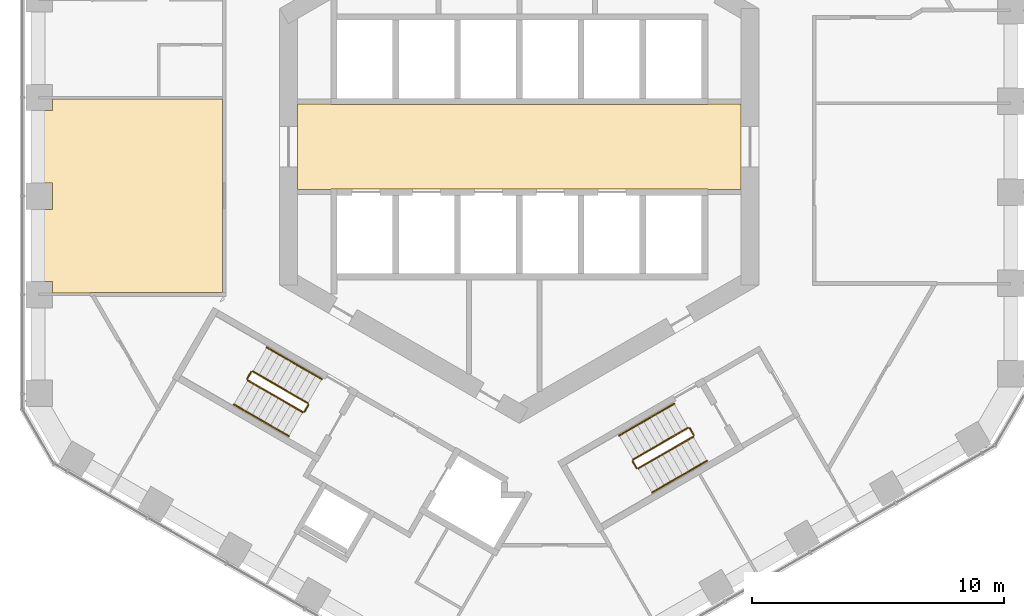
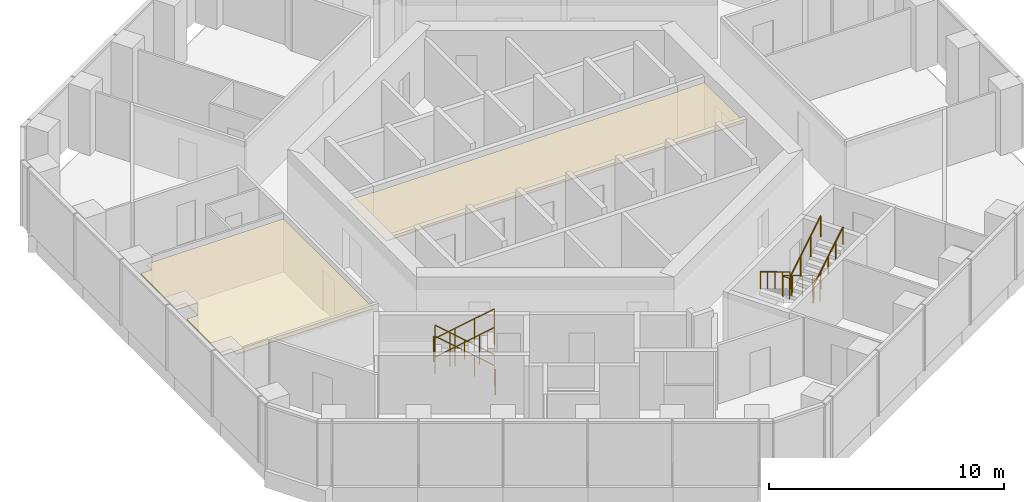
# One storey, part 18 of 19: 16 railings, 2 coverings.
"""IFC4 building model written with IfcOpenShell, lengths in metres."""

from ifc_helpers import new_model, si_unit, direction, frame, origin, origin_2d, place, context, subcontext, project, spatial, polyline, circle, outline, extrude, material, layer, layer_set, type_object, element, save


model = new_model("IFC4")

# Units and contexts
model_context = context("Model", 3, precision=1e-05, world=origin(), true_north=direction((0.0, 1.0)))
body_context = subcontext(model_context, "Body", "Model", "MODEL_VIEW")
ifc_project = project(units=[si_unit("LENGTHUNIT", "METRE"), si_unit("AREAUNIT", "SQUARE_METRE"), si_unit("VOLUMEUNIT", "CUBIC_METRE"), si_unit("PLANEANGLEUNIT", "RADIAN"), si_unit("MASSUNIT", "GRAM", prefix="KILO")], contexts=[model_context])

# Site, building, storey
site_placement = place(None, origin())
site = spatial("IfcSite", under=ifc_project, at=site_placement, CompositionType="ELEMENT")
building_placement = place(site_placement, origin())
building = spatial("IfcBuilding", under=site, at=building_placement, Name="Ayvan Gate Tower", CompositionType="ELEMENT")
storey_placement = place(building_placement, frame((0.0, 0.0, 106.89990234375)))
storey = spatial("IfcBuildingStorey", under=building, at=storey_placement, Name="L28", CompositionType="ELEMENT", Elevation=106.89990234375)

# Coverings
ifc_material_1 = material(Name="Plasterboard suspended ceiling")
ifc_layer = layer(ifc_material_1, 0.050048828125)
ifc_layer_set = layer_set([ifc_layer], Name="Plasterboard suspended ceiling")
covering_type = type_object("IfcCoveringType", Name="CT-SUSP-50", PredefinedType="CEILING", material=ifc_layer_set)
covering_1_placement = place(storey_placement, frame((0.0, 0.0, 2.7001953125)))
element("IfcCovering", 1, at=covering_1_placement, inside=storey, type_object=covering_type, Name="Ceiling Lift Lobby L28", PredefinedType="CEILING", context=body_context, shape_type="SweptSolid", body=[
    extrude(outline(polyline([(7.47509765625, -1.675048828125), (-7.47509765625, -1.675048828125), (-7.47509765625, -1.699951171875), (-8.800048828125, -1.699951171875), (-8.800048828125, 1.699951171875), (-7.47509765625, 1.699951171875), (-7.47509765625, 1.675048828125), (7.47509765625, 1.675048828125), (7.47509765625, 1.699951171875), (8.800048828125, 1.699951171875), (8.800048828125, -1.699951171875), (7.47509765625, -1.699951171875), (7.47509765625, -1.675048828125)])), origin(), (0.0, 0.0, 1.0), 0.0498046875),
])
covering_2_placement = place(storey_placement, frame((0.0, 0.0, 2.7001953125)))
element("IfcCovering", 2, at=covering_2_placement, inside=storey, type_object=covering_type, Name="Ceiling Study Lounge L28", PredefinedType="CEILING", context=body_context, shape_type="SweptSolid", body=[
    extrude(outline(polyline([(-18.515380859375, -2.47998046875), (-18.515380859375, -1.429931640625), (-19.070068359375, -1.429931640625), (-19.070068359375, 1.429931640625), (-18.515380859375, 1.429931640625), (-18.515380859375, 1.901611328125), (-11.77490234375, 1.901611328125), (-11.77490234375, -5.77978515625), (-17.012939453125, -5.77978515625), (-17.012939453125, -5.8046875), (-18.515380859375, -5.8046875), (-18.515380859375, -5.340087890625), (-19.070068359375, -5.340087890625), (-19.070068359375, -2.47998046875), (-18.515380859375, -2.47998046875)])), origin(), (0.0, 0.0, 1.0), 0.0498046875),
])

# Railings
ifc_material_2 = material(Name="Stainless steel balustrade", Category="steel")
railing_type_1 = type_object("IfcRailingType", Name="RL-GUARD-1100", PredefinedType="GUARDRAIL", material=ifc_material_2)
railing_1_placement = place(storey_placement, frame((-8.381103515625, -10.16650390625, 0.170166015625)))
element("IfcRailing", 3, at=railing_1_placement, inside=storey, type_object=railing_type_1, Name="L28 STS2 stair guard 1", PredefinedType="GUARDRAIL", context=body_context, shape_type="SweptSolid", body=[
    extrude(circle(Radius=0.02392578125, at=origin_2d()), frame((0.0, 0.0, 1.076171875), z_axis=(-0.740261155115, 0.427395438142, 0.518986090067), x_axis=(-0.500004791531, -0.866022637375, 0.0)), (0.0, 0.0, 1.0), 2.947998046875),
    extrude(circle(Radius=0.02099609375, at=origin_2d()), origin(), (0.0, 0.0, 1.0), 1.052001953125),
    extrude(circle(Radius=0.02099609375, at=origin_2d()), frame((-0.7275390625, 0.419921875, 0.510009765625)), (0.0, 0.0, 1.0), 1.052001953125),
    extrude(circle(Radius=0.02099609375, at=origin_2d()), frame((-1.454833984375, 0.840087890625, 1.02001953125)), (0.0, 0.0, 1.0), 1.052001953125),
    extrude(circle(Radius=0.02099609375, at=origin_2d()), frame((-2.182373046875, 1.260009765625, 1.530029296875)), (0.0, 0.0, 1.0), 1.052001953125),
])
railing_2_placement = place(storey_placement, frame((-10.6318359375, -8.9248046875, 1.7001953125)))
element("IfcRailing", 4, at=railing_2_placement, inside=storey, type_object=railing_type_1, Name="L28 STS2 stair guard 2", PredefinedType="GUARDRAIL", context=body_context, shape_type="SweptSolid", body=[
    extrude(circle(Radius=0.02392578125, at=origin_2d()), frame((0.0, 0.0, 1.076171875), z_axis=(-0.499949632511, -0.866054481515, 0.0), x_axis=(0.866054481515, -0.499949632511, 0.0)), (0.0, 0.0, 1.0), 0.31005859375),
    extrude(circle(Radius=0.02099609375, at=origin_2d()), origin(), (0.0, 0.0, 1.0), 1.052001953125),
    extrude(circle(Radius=0.02099609375, at=origin_2d()), frame((-0.155029296875, -0.2685546875, 0.0)), (0.0, 0.0, 1.0), 1.052001953125),
])
railing_3_placement = place(storey_placement, frame((-10.7685546875, -9.261474609375, 1.8701171875)))
element("IfcRailing", 5, at=railing_3_placement, inside=storey, type_object=railing_type_1, Name="L28 STS2 stair guard 3", PredefinedType="GUARDRAIL", context=body_context, shape_type="SweptSolid", body=[
    extrude(circle(Radius=0.02392578125, at=origin_2d()), frame((0.0, 0.0, 1.076171875), z_axis=(0.740261155115, -0.427395438142, 0.518986090067), x_axis=(0.500004791531, 0.866022637375, 0.0)), (0.0, 0.0, 1.0), 2.947998046875),
    extrude(circle(Radius=0.02099609375, at=origin_2d()), origin(), (0.0, 0.0, 1.0), 1.052001953125),
    extrude(circle(Radius=0.02099609375, at=origin_2d()), frame((0.7275390625, -0.419921875, 0.510009765625)), (0.0, 0.0, 1.0), 1.052001953125),
    extrude(circle(Radius=0.02099609375, at=origin_2d()), frame((1.454833984375, -0.840087890625, 1.02001953125)), (0.0, 0.0, 1.0), 1.052001953125),
    extrude(circle(Radius=0.02099609375, at=origin_2d()), frame((2.182373046875, -1.260009765625, 1.530029296875)), (0.0, 0.0, 1.0), 1.052001953125),
])
railing_4_placement = place(storey_placement, frame((-8.36279296875, -10.23486328125, 0.0)))
element("IfcRailing", 6, at=railing_4_placement, inside=storey, type_object=railing_type_1, Name="L28 STS2 stair guard 4", PredefinedType="GUARDRAIL", context=body_context, shape_type="SweptSolid", body=[
    extrude(circle(Radius=0.02392578125, at=origin_2d()), frame((0.0, 0.0, 1.076171875), z_axis=(-0.500290723946, -0.86585748916, 0.0), x_axis=(0.86585748916, -0.500290723946, 0.0)), (0.0, 0.0, 1.0), 0.309814453125),
    extrude(circle(Radius=0.02099609375, at=origin_2d()), origin(), (0.0, 0.0, 1.0), 1.052001953125),
    extrude(circle(Radius=0.02099609375, at=origin_2d()), frame((-0.155029296875, -0.268310546875, 0.0)), (0.0, 0.0, 1.0), 1.052001953125),
])
railing_5_placement = place(storey_placement, frame((6.6923828125, -11.1416015625, 0.170166015625)))
element("IfcRailing", 7, at=railing_5_placement, inside=storey, type_object=railing_type_1, Name="L28 STS3 stair guard 1", PredefinedType="GUARDRAIL", context=body_context, shape_type="SweptSolid", body=[
    extrude(circle(Radius=0.02392578125, at=origin_2d()), frame((0.0, 0.0, 1.076171875), z_axis=(-0.740261155115, -0.427395438142, 0.518986090067), x_axis=(0.500004791531, -0.866022637375, 0.0)), (0.0, 0.0, 1.0), 2.947998046875),
    extrude(circle(Radius=0.02099609375, at=origin_2d()), origin(), (0.0, 0.0, 1.0), 1.052001953125),
    extrude(circle(Radius=0.02099609375, at=origin_2d()), frame((-0.7275390625, -0.419921875, 0.510009765625)), (0.0, 0.0, 1.0), 1.052001953125),
    extrude(circle(Radius=0.02099609375, at=origin_2d()), frame((-1.454833984375, -0.840087890625, 1.02001953125)), (0.0, 0.0, 1.0), 1.052001953125),
    extrude(circle(Radius=0.02099609375, at=origin_2d()), frame((-2.182373046875, -1.260009765625, 1.530029296875)), (0.0, 0.0, 1.0), 1.052001953125),
])
railing_6_placement = place(storey_placement, frame((4.49169921875, -12.4697265625, 1.7001953125)))
element("IfcRailing", 8, at=railing_6_placement, inside=storey, type_object=railing_type_1, Name="L28 STS3 stair guard 2", PredefinedType="GUARDRAIL", context=body_context, shape_type="SweptSolid", body=[
    extrude(circle(Radius=0.02392578125, at=origin_2d()), frame((0.0, 0.0, 1.076171875), z_axis=(0.499949632511, -0.866054481515, 0.0), x_axis=(0.866054481515, 0.499949632511, 0.0)), (0.0, 0.0, 1.0), 0.31005859375),
    extrude(circle(Radius=0.02099609375, at=origin_2d()), origin(), (0.0, 0.0, 1.0), 1.052001953125),
    extrude(circle(Radius=0.02099609375, at=origin_2d()), frame((0.155029296875, -0.2685546875, 0.0)), (0.0, 0.0, 1.0), 1.052001953125),
])
railing_7_placement = place(storey_placement, frame((4.715087890625, -12.756591796875, 1.8701171875)))
element("IfcRailing", 9, at=railing_7_placement, inside=storey, type_object=railing_type_1, Name="L28 STS3 stair guard 3", PredefinedType="GUARDRAIL", context=body_context, shape_type="SweptSolid", body=[
    extrude(circle(Radius=0.02392578125, at=origin_2d()), frame((0.0, 0.0, 1.076171875), z_axis=(0.740261155115, 0.427395438142, 0.518986090067), x_axis=(-0.500004791531, 0.866022637375, 0.0)), (0.0, 0.0, 1.0), 2.947998046875),
    extrude(circle(Radius=0.02099609375, at=origin_2d()), origin(), (0.0, 0.0, 1.0), 1.052001953125),
    extrude(circle(Radius=0.02099609375, at=origin_2d()), frame((0.7275390625, 0.419921875, 0.510009765625)), (0.0, 0.0, 1.0), 1.052001953125),
    extrude(circle(Radius=0.02099609375, at=origin_2d()), frame((1.454833984375, 0.840087890625, 1.02001953125)), (0.0, 0.0, 1.0), 1.052001953125),
    extrude(circle(Radius=0.02099609375, at=origin_2d()), frame((2.182373046875, 1.260009765625, 1.530029296875)), (0.0, 0.0, 1.0), 1.052001953125),
])
railing_8_placement = place(storey_placement, frame((6.7607421875, -11.159912109375, 0.0)))
element("IfcRailing", 10, at=railing_8_placement, inside=storey, type_object=railing_type_1, Name="L28 STS3 stair guard 4", PredefinedType="GUARDRAIL", context=body_context, shape_type="SweptSolid", body=[
    extrude(circle(Radius=0.02392578125, at=origin_2d()), frame((0.0, 0.0, 1.076171875), z_axis=(0.500290723946, -0.86585748916, 0.0), x_axis=(0.86585748916, 0.500290723946, 0.0)), (0.0, 0.0, 1.0), 0.309814453125),
    extrude(circle(Radius=0.02099609375, at=origin_2d()), origin(), (0.0, 0.0, 1.0), 1.052001953125),
    extrude(circle(Radius=0.02099609375, at=origin_2d()), frame((0.155029296875, -0.268310546875, 0.0)), (0.0, 0.0, 1.0), 1.052001953125),
])
railing_type_2 = type_object("IfcRailingType", Name="RL-HANDRAIL-900", PredefinedType="HANDRAIL", material=ifc_material_2)
railing_9_placement = place(storey_placement, frame((-7.8310546875, -9.2138671875, 0.170166015625)))
element("IfcRailing", 11, at=railing_9_placement, inside=storey, type_object=railing_type_2, Name="L28 STS2 stair handrail 1", PredefinedType="HANDRAIL", context=body_context, shape_type="SweptSolid", body=[
    extrude(circle(Radius=0.02392578125, at=origin_2d()), frame((0.0, 0.0, 0.8759765625), z_axis=(-0.740356597536, 0.427319915356, 0.518912129772), x_axis=(-0.499890179513, -0.866088799389, 0.0)), (0.0, 0.0, 1.0), 1.47412109375),
    extrude(circle(Radius=0.02099609375, at=origin_2d()), origin(), (0.0, 0.0, 1.0), 0.851806640625),
    extrude(circle(Radius=0.02099609375, at=origin_2d()), frame((-0.545654296875, 0.31494140625, 0.38232421875)), (0.0, 0.0, 1.0), 0.851806640625),
    extrude(circle(Radius=0.02099609375, at=origin_2d()), frame((-1.09130859375, 0.6298828125, 0.764892578125)), (0.0, 0.0, 1.0), 0.851806640625),
])
railing_10_placement = place(storey_placement, frame((-8.92236328125, -8.583984375, 0.93505859375)))
element("IfcRailing", 12, at=railing_10_placement, inside=storey, type_object=railing_type_2, Name="L28 STS2 stair handrail 2", PredefinedType="HANDRAIL", context=body_context, shape_type="SweptSolid", body=[
    extrude(circle(Radius=0.02392578125, at=origin_2d()), frame((0.0, 0.0, 0.8759765625), z_axis=(-0.740165700939, 0.427470949681, 0.519060037311), x_axis=(-0.50011940292, -0.865956455501, 0.0)), (0.0, 0.0, 1.0), 1.47412109375),
    extrude(circle(Radius=0.02099609375, at=origin_2d()), origin(), (0.0, 0.0, 1.0), 0.851806640625),
    extrude(circle(Radius=0.02099609375, at=origin_2d()), frame((-0.54541015625, 0.31494140625, 0.382568359375)), (0.0, 0.0, 1.0), 0.851806640625),
    extrude(circle(Radius=0.02099609375, at=origin_2d()), frame((-1.091064453125, 0.630126953125, 0.76513671875)), (0.0, 0.0, 1.0), 0.851806640625),
])
railing_11_placement = place(storey_placement, frame((-11.318603515625, -10.214111328125, 1.8701171875)))
element("IfcRailing", 13, at=railing_11_placement, inside=storey, type_object=railing_type_2, Name="L28 STS2 stair handrail 3", PredefinedType="HANDRAIL", context=body_context, shape_type="SweptSolid", body=[
    extrude(circle(Radius=0.02392578125, at=origin_2d()), frame((0.0, 0.0, 0.8759765625), z_axis=(0.740304193401, -0.427455284825, 0.518875399983), x_axis=(0.500035496587, 0.86600490885, 0.0)), (0.0, 0.0, 1.0), 1.47412109375),
    extrude(circle(Radius=0.02099609375, at=origin_2d()), origin(), (0.0, 0.0, 1.0), 0.851806640625),
    extrude(circle(Radius=0.02099609375, at=origin_2d()), frame((0.545654296875, -0.31494140625, 0.38232421875)), (0.0, 0.0, 1.0), 0.851806640625),
    extrude(circle(Radius=0.02099609375, at=origin_2d()), frame((1.09130859375, -0.630126953125, 0.764892578125)), (0.0, 0.0, 1.0), 0.851806640625),
])
railing_12_placement = place(storey_placement, frame((-10.227294921875, -10.84423828125, 2.635009765625)))
element("IfcRailing", 14, at=railing_12_placement, inside=storey, type_object=railing_type_2, Name="L28 STS2 stair handrail 4", PredefinedType="HANDRAIL", context=body_context, shape_type="SweptSolid", body=[
    extrude(circle(Radius=0.02392578125, at=origin_2d()), frame((0.0, 0.0, 0.8759765625), z_axis=(0.740292964666, -0.42728318766, 0.519033143459), x_axis=(0.499890179513, 0.866088799389, 0.0)), (0.0, 0.0, 1.0), 1.47412109375),
    extrude(circle(Radius=0.02099609375, at=origin_2d()), origin(), (0.0, 0.0, 1.0), 0.851806640625),
    extrude(circle(Radius=0.02099609375, at=origin_2d()), frame((0.545654296875, -0.31494140625, 0.382568359375)), (0.0, 0.0, 1.0), 0.851806640625),
    extrude(circle(Radius=0.02099609375, at=origin_2d()), frame((1.09130859375, -0.6298828125, 0.76513671875)), (0.0, 0.0, 1.0), 0.851806640625),
])
railing_13_placement = place(storey_placement, frame((6.142333984375, -10.18896484375, 0.170166015625)))
element("IfcRailing", 15, at=railing_13_placement, inside=storey, type_object=railing_type_2, Name="L28 STS3 stair handrail 1", PredefinedType="HANDRAIL", context=body_context, shape_type="SweptSolid", body=[
    extrude(circle(Radius=0.02392578125, at=origin_2d()), frame((0.0, 0.0, 0.8759765625), z_axis=(-0.740281741151, -0.427372318678, 0.518975765278), x_axis=(0.499974077718, -0.866040369504, 0.0)), (0.0, 0.0, 1.0), 1.473876953125),
    extrude(circle(Radius=0.02099609375, at=origin_2d()), origin(), (0.0, 0.0, 1.0), 0.851806640625),
    extrude(circle(Radius=0.02099609375, at=origin_2d()), frame((-0.54541015625, -0.31494140625, 0.38232421875)), (0.0, 0.0, 1.0), 0.851806640625),
    extrude(circle(Radius=0.02099609375, at=origin_2d()), frame((-1.091064453125, -0.6298828125, 0.764892578125)), (0.0, 0.0, 1.0), 0.851806640625),
])
railing_14_placement = place(storey_placement, frame((5.05126953125, -10.81884765625, 0.93505859375)))
element("IfcRailing", 16, at=railing_14_placement, inside=storey, type_object=railing_type_2, Name="L28 STS3 stair handrail 2", PredefinedType="HANDRAIL", context=body_context, shape_type="SweptSolid", body=[
    extrude(circle(Radius=0.02392578125, at=origin_2d()), frame((0.0, 0.0, 0.8759765625), z_axis=(-0.740240574041, -0.427418550694, 0.518996411419), x_axis=(0.500035496587, -0.86600490885, 0.0)), (0.0, 0.0, 1.0), 1.474365234375),
    extrude(circle(Radius=0.02099609375, at=origin_2d()), origin(), (0.0, 0.0, 1.0), 0.851806640625),
    extrude(circle(Radius=0.02099609375, at=origin_2d()), frame((-0.545654296875, -0.31494140625, 0.382568359375)), (0.0, 0.0, 1.0), 0.851806640625),
    extrude(circle(Radius=0.02099609375, at=origin_2d()), frame((-1.09130859375, -0.630126953125, 0.76513671875)), (0.0, 0.0, 1.0), 0.851806640625),
])
railing_15_placement = place(storey_placement, frame((5.264892578125, -13.709228515625, 1.8701171875)))
element("IfcRailing", 17, at=railing_15_placement, inside=storey, type_object=railing_type_2, Name="L28 STS3 stair handrail 3", PredefinedType="HANDRAIL", context=body_context, shape_type="SweptSolid", body=[
    extrude(circle(Radius=0.02392578125, at=origin_2d()), frame((0.0, 0.0, 0.8759765625), z_axis=(0.740304193401, 0.427455284825, 0.518875399983), x_axis=(-0.500035496587, 0.86600490885, 0.0)), (0.0, 0.0, 1.0), 1.47412109375),
    extrude(circle(Radius=0.02099609375, at=origin_2d()), origin(), (0.0, 0.0, 1.0), 0.851806640625),
    extrude(circle(Radius=0.02099609375, at=origin_2d()), frame((0.545654296875, 0.31494140625, 0.38232421875)), (0.0, 0.0, 1.0), 0.851806640625),
    extrude(circle(Radius=0.02099609375, at=origin_2d()), frame((1.09130859375, 0.630126953125, 0.764892578125)), (0.0, 0.0, 1.0), 0.851806640625),
])
railing_16_placement = place(storey_placement, frame((6.356201171875, -13.0791015625, 2.635009765625)))
element("IfcRailing", 18, at=railing_16_placement, inside=storey, type_object=railing_type_2, Name="L28 STS3 stair handrail 4", PredefinedType="HANDRAIL", context=body_context, shape_type="SweptSolid", body=[
    extrude(circle(Radius=0.02392578125, at=origin_2d()), frame((0.0, 0.0, 0.8759765625), z_axis=(0.740218099111, 0.427335577468, 0.519096782863), x_axis=(-0.499974077718, 0.866040369504, 0.0)), (0.0, 0.0, 1.0), 1.473876953125),
    extrude(circle(Radius=0.02099609375, at=origin_2d()), origin(), (0.0, 0.0, 1.0), 0.851806640625),
    extrude(circle(Radius=0.02099609375, at=origin_2d()), frame((0.54541015625, 0.31494140625, 0.382568359375)), (0.0, 0.0, 1.0), 0.851806640625),
    extrude(circle(Radius=0.02099609375, at=origin_2d()), frame((1.091064453125, 0.6298828125, 0.76513671875)), (0.0, 0.0, 1.0), 0.851806640625),
])

save(model, "model.ifc")
